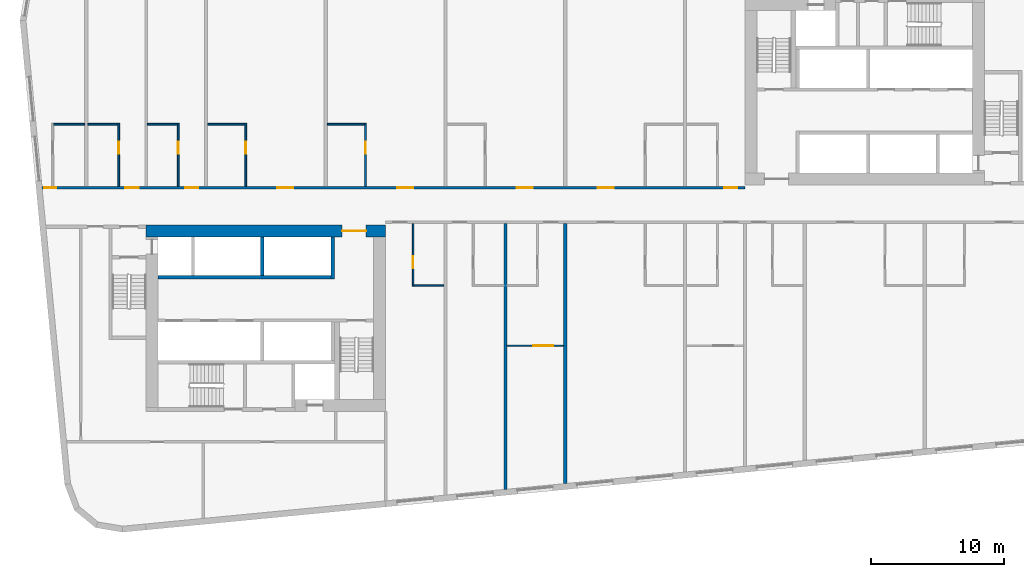
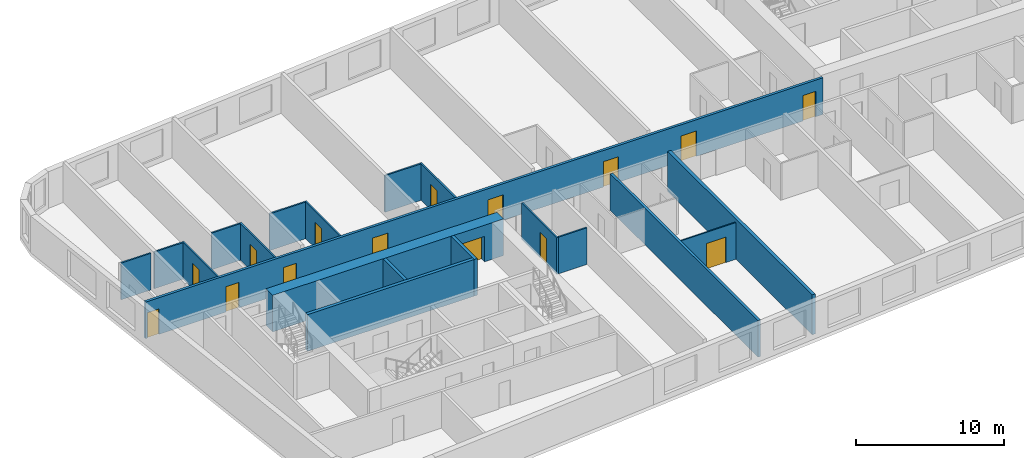
# One storey, part 3 of 12: 19 walls, 15 doors, 15 openings.
"""IFC4 building model written with IfcOpenShell, lengths in metres."""

from ifc_helpers import new_model, si_unit, direction, frame, frame_2d, origin, place, context, subcontext, project, spatial, rectangle, extrude, material, layer, layer_set, type_object, element, fill, save


model = new_model("IFC4")

# Units and contexts
model_context = context("Model", 3, precision=1e-05, world=origin(), true_north=direction((0.0, 1.0)))
body_context = subcontext(model_context, "Body", "Model", "MODEL_VIEW")
ifc_project = project(units=[si_unit("LENGTHUNIT", "METRE"), si_unit("AREAUNIT", "SQUARE_METRE"), si_unit("VOLUMEUNIT", "CUBIC_METRE"), si_unit("PLANEANGLEUNIT", "RADIAN"), si_unit("MASSUNIT", "GRAM", prefix="KILO")], contexts=[model_context])

# Site, building, storey
site_placement = place(None, origin())
site = spatial("IfcSite", under=ifc_project, at=site_placement, CompositionType="ELEMENT")
building_placement = place(site_placement, origin())
building = spatial("IfcBuilding", under=site, at=building_placement, Name="Kajstack Hotel Tower", CompositionType="ELEMENT")
storey_placement = place(building_placement, frame((0.0, 0.0, 114.10009765625)))
storey = spatial("IfcBuildingStorey", under=building, at=storey_placement, Name="L24", CompositionType="ELEMENT", Elevation=114.10009765625)

# Wall, opening, door
ifc_material_1 = material(Name="Concrete C60/75", Category="concrete")
ifc_layer_1 = layer(ifc_material_1, 0.89990234375)
ifc_layer_set_1 = layer_set([ifc_layer_1], Name="Core wall 900")
wall_type_1 = type_object("IfcWallType", Name="Core wall 900", PredefinedType="SHEAR", material=ifc_layer_set_1)
wall_1_placement = place(storey_placement, frame((-31.5, -1.949951171875, 0.0), z_axis=(0.0, 0.0, 1.0), x_axis=(1.0, 0.0, 0.0)))
wall_1 = element("IfcWall", 1, at=wall_1_placement, inside=storey, type_object=wall_type_1, Name="Core wall W RN", PredefinedType="SHEAR", context=body_context, shape_type="SweptSolid", body=[
    extrude(rectangle(XDim=18.0, YDim=0.89990234375, at=frame_2d((9.0, 0.0))), origin(), (0.0, 0.0, 1.0), 3.02001953125),
])
opening_1_placement = place(wall_1_placement, frame((14.72509765625, 0.0, 0.0)))
opening_1 = element("IfcOpeningElement", 2, at=opening_1_placement, cuts=wall_1, Name="Opening 24W06", PredefinedType="OPENING", context=body_context, shape_type="SweptSolid", body=[
    extrude(rectangle(XDim=1.800048828125, YDim=2.10009765625, at=frame_2d((0.89990234375, 1.050048828125))), frame((0.0, 0.4599609375, 0.0), z_axis=(0.0, -1.0, 0.0), x_axis=(1.0, 0.0, 0.0)), (0.0, 0.0, 1.0), 0.919921875),
])
ifc_material_2 = material(Name="Glazed steel frame, fire-rated glass", Category="steel")
door_type_1 = type_object("IfcDoorType", Name="Lobby double door 1800", OperationType="DOUBLE_DOOR_DOUBLE_SWING", PredefinedType="DOOR", material=ifc_material_2)
door_1_placement = place(opening_1_placement, origin())
door_1 = element("IfcDoor", 3, at=door_1_placement, inside=storey, type_object=door_type_1, Name="Door 24W06", OperationType="DOUBLE_DOOR_DOUBLE_SWING", OverallHeight=2.10009765625, OverallWidth=1.800048828125, PredefinedType="DOOR", context=body_context, shape_type="SweptSolid", body=[
    extrude(rectangle(XDim=1.800048828125, YDim=2.10009765625, at=frame_2d((0.89990234375, 1.050048828125))), frame((0.0, 0.02490234375, 0.0), z_axis=(0.0, -1.0, 0.0), x_axis=(1.0, 0.0, 0.0)), (0.0, 0.0, 1.0), 0.050048828125),
])
fill(opening_1, door_1)

# Wall, openings, doors
ifc_material_3 = material(Name="Gypsum board on steel studs, mineral wool", Category="steel")
ifc_layer_2 = layer(ifc_material_3, 0.199951171875)
ifc_layer_set_2 = layer_set([ifc_layer_2], Name="Corridor wall 200")
wall_type_2 = type_object("IfcWallType", Name="Corridor wall 200", PredefinedType="PARTITIONING", material=ifc_layer_set_2)
wall_2_placement = place(storey_placement, frame((-39.31591796875, 1.300048828125, 0.0), z_axis=(0.0, 0.0, 1.0), x_axis=(1.0, 0.0, 0.0)))
wall_2 = element("IfcWall", 4, at=wall_2_placement, inside=storey, type_object=wall_type_2, Name="G-wall-L24-003", PredefinedType="PARTITIONING", context=body_context, shape_type="SweptSolid", body=[
    extrude(rectangle(XDim=52.81591796875, YDim=0.199951171875, at=frame_2d((26.407958984375, 0.0))), origin(), (0.0, 0.0, 1.0), 3.02001953125),
])
opening_2_placement = place(wall_2_placement, frame((0.14990234375, 0.0, 0.0)))
opening_2 = element("IfcOpeningElement", 5, at=opening_2_placement, cuts=wall_2, Name="Opening 24001", PredefinedType="OPENING", context=body_context, shape_type="SweptSolid", body=[
    extrude(rectangle(XDim=0.89990234375, YDim=2.10009765625, at=frame_2d((0.449951171875, 1.050048828125))), frame((0.0, 0.10986328125, 0.0), z_axis=(0.0, -1.0, 0.0), x_axis=(1.0, 0.0, 0.0)), (0.0, 0.0, 1.0), 0.219970703125),
])
opening_3_placement = place(wall_2_placement, frame((6.26611328125, 0.0, 0.0)))
opening_3 = element("IfcOpeningElement", 6, at=opening_3_placement, cuts=wall_2, Name="Opening 24003", PredefinedType="OPENING", context=body_context, shape_type="SweptSolid", body=[
    extrude(rectangle(XDim=1.0, YDim=2.10009765625, at=frame_2d((0.5, 1.050048828125))), frame((0.0, 0.10986328125, 0.0), z_axis=(0.0, -1.0, 0.0), x_axis=(1.0, 0.0, 0.0)), (0.0, 0.0, 1.0), 0.219970703125),
])
opening_4_placement = place(wall_2_placement, frame((10.740966796875, 0.0, 0.0)))
opening_4 = element("IfcOpeningElement", 7, at=opening_4_placement, cuts=wall_2, Name="Opening 24005", PredefinedType="OPENING", context=body_context, shape_type="SweptSolid", body=[
    extrude(rectangle(XDim=1.0, YDim=2.10009765625, at=frame_2d((0.5, 1.050048828125))), frame((0.0, 0.10986328125, 0.0), z_axis=(0.0, -1.0, 0.0), x_axis=(1.0, 0.0, 0.0)), (0.0, 0.0, 1.0), 0.219970703125),
])
opening_5_placement = place(wall_2_placement, frame((17.677978515625, 0.0, 0.0)))
opening_5 = element("IfcOpeningElement", 8, at=opening_5_placement, cuts=wall_2, Name="Opening 24007", PredefinedType="OPENING", context=body_context, shape_type="SweptSolid", body=[
    extrude(rectangle(XDim=1.199951171875, YDim=2.10009765625, at=frame_2d((0.60009765625, 1.050048828125))), frame((0.0, 0.10986328125, 0.0), z_axis=(0.0, -1.0, 0.0), x_axis=(1.0, 0.0, 0.0)), (0.0, 0.0, 1.0), 0.219970703125),
])
opening_6_placement = place(wall_2_placement, frame((26.677978515625, 0.0, 0.0)))
opening_6 = element("IfcOpeningElement", 9, at=opening_6_placement, cuts=wall_2, Name="Opening 24009", PredefinedType="OPENING", context=body_context, shape_type="SweptSolid", body=[
    extrude(rectangle(XDim=1.199951171875, YDim=2.10009765625, at=frame_2d((0.60009765625, 1.050048828125))), frame((0.0, 0.10986328125, 0.0), z_axis=(0.0, -1.0, 0.0), x_axis=(1.0, 0.0, 0.0)), (0.0, 0.0, 1.0), 0.219970703125),
])
opening_7_placement = place(wall_2_placement, frame((35.677978515625, 0.0, 0.0)))
opening_7 = element("IfcOpeningElement", 10, at=opening_7_placement, cuts=wall_2, Name="Opening 24011", PredefinedType="OPENING", context=body_context, shape_type="SweptSolid", body=[
    extrude(rectangle(XDim=1.199951171875, YDim=2.10009765625, at=frame_2d((0.60009765625, 1.050048828125))), frame((0.0, 0.10986328125, 0.0), z_axis=(0.0, -1.0, 0.0), x_axis=(1.0, 0.0, 0.0)), (0.0, 0.0, 1.0), 0.219970703125),
])
opening_8_placement = place(wall_2_placement, frame((41.75390625, 0.0, 0.0)))
opening_8 = element("IfcOpeningElement", 11, at=opening_8_placement, cuts=wall_2, Name="Opening 24013", PredefinedType="OPENING", context=body_context, shape_type="SweptSolid", body=[
    extrude(rectangle(XDim=1.199951171875, YDim=2.10009765625, at=frame_2d((0.60009765625, 1.050048828125))), frame((0.0, 0.10986328125, 0.0), z_axis=(0.0, -1.0, 0.0), x_axis=(1.0, 0.0, 0.0)), (0.0, 0.0, 1.0), 0.219970703125),
])
opening_9_placement = place(wall_2_placement, frame((51.240966796875, 0.0, 0.0)))
opening_9 = element("IfcOpeningElement", 12, at=opening_9_placement, cuts=wall_2, Name="Opening 24015", PredefinedType="OPENING", context=body_context, shape_type="SweptSolid", body=[
    extrude(rectangle(XDim=1.0, YDim=2.10009765625, at=frame_2d((0.5, 1.050048828125))), frame((0.0, 0.10986328125, 0.0), z_axis=(0.0, -1.0, 0.0), x_axis=(1.0, 0.0, 0.0)), (0.0, 0.0, 1.0), 0.219970703125),
])
ifc_material_4 = material(Name="Oak veneer on timber core, fire-rated leaf", Category="wood")
door_type_2 = type_object("IfcDoorType", Name="Flat entrance door 1000", OperationType="SINGLE_SWING_LEFT", PredefinedType="DOOR", material=ifc_material_4)
door_2_placement = place(opening_3_placement, origin())
door_2 = element("IfcDoor", 13, at=door_2_placement, inside=storey, type_object=door_type_2, Name="G-door-L24-03", OperationType="SINGLE_SWING_LEFT", OverallHeight=2.10009765625, OverallWidth=1.0, PredefinedType="DOOR", context=body_context, shape_type="SweptSolid", body=[
    extrude(rectangle(XDim=1.0, YDim=2.10009765625, at=frame_2d((0.5, 1.050048828125))), frame((0.0, 0.02490234375, 0.0), z_axis=(0.0, -1.0, 0.0), x_axis=(1.0, 0.0, 0.0)), (0.0, 0.0, 1.0), 0.050048828125),
])
fill(opening_3, door_2)
door_3_placement = place(opening_4_placement, origin())
door_3 = element("IfcDoor", 14, at=door_3_placement, inside=storey, type_object=door_type_2, Name="G-door-L24-05", OperationType="SINGLE_SWING_RIGHT", OverallHeight=2.10009765625, OverallWidth=1.0, PredefinedType="DOOR", context=body_context, shape_type="SweptSolid", body=[
    extrude(rectangle(XDim=1.0, YDim=2.10009765625, at=frame_2d((0.5, 1.050048828125))), frame((0.0, 0.02490234375, 0.0), z_axis=(0.0, -1.0, 0.0), x_axis=(1.0, 0.0, 0.0)), (0.0, 0.0, 1.0), 0.050048828125),
])
fill(opening_4, door_3)
door_4_placement = place(opening_9_placement, origin())
door_4 = element("IfcDoor", 15, at=door_4_placement, inside=storey, type_object=door_type_2, Name="G-door-L24-15", OperationType="SINGLE_SWING_RIGHT", OverallHeight=2.10009765625, OverallWidth=1.0, PredefinedType="DOOR", context=body_context, shape_type="SweptSolid", body=[
    extrude(rectangle(XDim=1.0, YDim=2.10009765625, at=frame_2d((0.5, 1.050048828125))), frame((0.0, 0.02490234375, 0.0), z_axis=(0.0, -1.0, 0.0), x_axis=(1.0, 0.0, 0.0)), (0.0, 0.0, 1.0), 0.050048828125),
])
fill(opening_9, door_4)
door_type_3 = type_object("IfcDoorType", Name="Flat entrance door 1200", OperationType="SINGLE_SWING_LEFT", PredefinedType="DOOR", material=ifc_material_4)
door_5_placement = place(opening_5_placement, origin())
door_5 = element("IfcDoor", 16, at=door_5_placement, inside=storey, type_object=door_type_3, Name="G-door-L24-07", OperationType="SINGLE_SWING_LEFT", OverallHeight=2.10009765625, OverallWidth=1.199951171875, PredefinedType="DOOR", context=body_context, shape_type="SweptSolid", body=[
    extrude(rectangle(XDim=1.199951171875, YDim=2.10009765625, at=frame_2d((0.60009765625, 1.050048828125))), frame((0.0, 0.02490234375, 0.0), z_axis=(0.0, -1.0, 0.0), x_axis=(1.0, 0.0, 0.0)), (0.0, 0.0, 1.0), 0.050048828125),
])
fill(opening_5, door_5)
door_6_placement = place(opening_6_placement, origin())
door_6 = element("IfcDoor", 17, at=door_6_placement, inside=storey, type_object=door_type_3, Name="G-door-L24-09", OperationType="SINGLE_SWING_RIGHT", OverallHeight=2.10009765625, OverallWidth=1.199951171875, PredefinedType="DOOR", context=body_context, shape_type="SweptSolid", body=[
    extrude(rectangle(XDim=1.199951171875, YDim=2.10009765625, at=frame_2d((0.60009765625, 1.050048828125))), frame((0.0, 0.02490234375, 0.0), z_axis=(0.0, -1.0, 0.0), x_axis=(1.0, 0.0, 0.0)), (0.0, 0.0, 1.0), 0.050048828125),
])
fill(opening_6, door_6)
door_7_placement = place(opening_7_placement, origin())
door_7 = element("IfcDoor", 18, at=door_7_placement, inside=storey, type_object=door_type_3, Name="G-door-L24-11", OperationType="SINGLE_SWING_RIGHT", OverallHeight=2.10009765625, OverallWidth=1.199951171875, PredefinedType="DOOR", context=body_context, shape_type="SweptSolid", body=[
    extrude(rectangle(XDim=1.199951171875, YDim=2.10009765625, at=frame_2d((0.60009765625, 1.050048828125))), frame((0.0, 0.02490234375, 0.0), z_axis=(0.0, -1.0, 0.0), x_axis=(1.0, 0.0, 0.0)), (0.0, 0.0, 1.0), 0.050048828125),
])
fill(opening_7, door_7)
door_8_placement = place(opening_8_placement, origin())
door_8 = element("IfcDoor", 19, at=door_8_placement, inside=storey, type_object=door_type_3, Name="G-door-L24-13", OperationType="SINGLE_SWING_LEFT", OverallHeight=2.10009765625, OverallWidth=1.199951171875, PredefinedType="DOOR", context=body_context, shape_type="SweptSolid", body=[
    extrude(rectangle(XDim=1.199951171875, YDim=2.10009765625, at=frame_2d((0.60009765625, 1.050048828125))), frame((0.0, 0.02490234375, 0.0), z_axis=(0.0, -1.0, 0.0), x_axis=(1.0, 0.0, 0.0)), (0.0, 0.0, 1.0), 0.050048828125),
])
fill(opening_8, door_8)
ifc_material_5 = material(Name="Painted timber door leaf", Category="wood")
door_type_4 = type_object("IfcDoorType", Name="Room door 900", OperationType="SINGLE_SWING_LEFT", PredefinedType="DOOR", material=ifc_material_5)
door_9_placement = place(opening_2_placement, origin())
door_9 = element("IfcDoor", 20, at=door_9_placement, inside=storey, type_object=door_type_4, Name="G-door-L24-01", OperationType="SINGLE_SWING_LEFT", OverallHeight=2.10009765625, OverallWidth=0.89990234375, PredefinedType="DOOR", context=body_context, shape_type="SweptSolid", body=[
    extrude(rectangle(XDim=0.89990234375, YDim=2.10009765625, at=frame_2d((0.449951171875, 1.050048828125))), frame((0.0, 0.02490234375, 0.0), z_axis=(0.0, -1.0, 0.0), x_axis=(1.0, 0.0, 0.0)), (0.0, 0.0, 1.0), 0.050048828125),
])
fill(opening_2, door_9)

# Walls
ifc_material_6 = material(Name="Twin-frame gypsum board on steel studs, mineral wool", Category="steel")
ifc_layer_3 = layer(ifc_material_6, 0.199951171875)
ifc_layer_set_3 = layer_set([ifc_layer_3], Name="Demising wall 200")
wall_type_3 = type_object("IfcWallType", Name="Demising wall 200", PredefinedType="PARTITIONING", material=ifc_layer_set_3)
wall_3_placement = place(storey_placement, frame((-4.5, -21.365966796875, 0.0), z_axis=(0.0, 0.0, 1.0), x_axis=(0.0, 1.0, 0.0)))
element("IfcWall", 21, at=wall_3_placement, inside=storey, type_object=wall_type_3, Name="G-wall-L24-024", PredefinedType="PARTITIONING", context=body_context, shape_type="SweptSolid", body=[
    extrude(rectangle(XDim=19.966064453125, YDim=0.199951171875, at=frame_2d((9.98291015625, 0.0))), origin(), (0.0, 0.0, 1.0), 3.02001953125),
])
ifc_material_7 = material(Name="Gypsum board and tiled backer on steel studs", Category="steel")
ifc_layer_4 = layer(ifc_material_7, 0.125)
ifc_layer_set_4 = layer_set([ifc_layer_4], Name="En-suite wall 125")
wall_type_4 = type_object("IfcWallType", Name="En-suite wall 125", PredefinedType="PARTITIONING", material=ifc_layer_set_4)
wall_4_placement = place(storey_placement, frame((-38.45703125, 6.06201171875, 0.0), z_axis=(0.0, 0.0, 1.0), x_axis=(1.0, 0.0, 0.0)))
element("IfcWall", 22, at=wall_4_placement, inside=storey, type_object=wall_type_4, Name="G-wall-L24-005", PredefinedType="PARTITIONING", context=body_context, shape_type="SweptSolid", body=[
    extrude(rectangle(XDim=2.33203125, YDim=0.125, at=frame_2d((1.166015625, 0.0))), origin(), (0.0, 0.0, 1.0), 3.02001953125),
])

# Wall, opening, door
wall_5_placement = place(storey_placement, frame((-33.56201171875, 1.39990234375, 0.0), z_axis=(0.0, 0.0, 1.0), x_axis=(0.0, 1.0, 0.0)))
wall_5 = element("IfcWall", 23, at=wall_5_placement, inside=storey, type_object=wall_type_4, Name="G-wall-L24-007", PredefinedType="PARTITIONING", context=body_context, shape_type="SweptSolid", body=[
    extrude(rectangle(XDim=4.72509765625, YDim=0.125, at=frame_2d((2.362548828125, 0.0))), origin(), (0.0, 0.0, 1.0), 3.02001953125),
])
opening_10_placement = place(wall_5_placement, frame((2.449951171875, 0.0, 0.0)))
opening_10 = element("IfcOpeningElement", 24, at=opening_10_placement, cuts=wall_5, Name="Opening 24004", PredefinedType="OPENING", context=body_context, shape_type="SweptSolid", body=[
    extrude(rectangle(XDim=0.89990234375, YDim=2.10009765625, at=frame_2d((0.449951171875, 1.050048828125))), frame((0.0, 0.072509765625, 0.0), z_axis=(0.0, -1.0, 0.0), x_axis=(1.0, 0.0, 0.0)), (0.0, 0.0, 1.0), 0.14501953125),
])
door_10_placement = place(opening_10_placement, origin())
door_10 = element("IfcDoor", 25, at=door_10_placement, inside=storey, type_object=door_type_4, Name="G-door-L24-04", OperationType="SINGLE_SWING_LEFT", OverallHeight=2.10009765625, OverallWidth=0.89990234375, PredefinedType="DOOR", context=body_context, shape_type="SweptSolid", body=[
    extrude(rectangle(XDim=0.89990234375, YDim=2.10009765625, at=frame_2d((0.449951171875, 1.050048828125))), frame((0.0, 0.02490234375, 0.0), z_axis=(0.0, -1.0, 0.0), x_axis=(1.0, 0.0, 0.0)), (0.0, 0.0, 1.0), 0.050048828125),
])
fill(opening_10, door_10)

# Wall
wall_6_placement = place(storey_placement, frame((-35.875, 6.06201171875, 0.0), z_axis=(0.0, 0.0, 1.0), x_axis=(1.0, 0.0, 0.0)))
element("IfcWall", 26, at=wall_6_placement, inside=storey, type_object=wall_type_4, Name="G-wall-L24-008", PredefinedType="PARTITIONING", context=body_context, shape_type="SweptSolid", body=[
    extrude(rectangle(XDim=2.25, YDim=0.125, at=frame_2d((1.125, 0.0))), origin(), (0.0, 0.0, 1.0), 3.02001953125),
])

# Wall, opening, door
wall_7_placement = place(storey_placement, frame((-29.0869140625, 1.39990234375, 0.0), z_axis=(0.0, 0.0, 1.0), x_axis=(0.0, 1.0, 0.0)))
wall_7 = element("IfcWall", 27, at=wall_7_placement, inside=storey, type_object=wall_type_4, Name="G-wall-L24-009", PredefinedType="PARTITIONING", context=body_context, shape_type="SweptSolid", body=[
    extrude(rectangle(XDim=4.72509765625, YDim=0.125, at=frame_2d((2.362548828125, 0.0))), origin(), (0.0, 0.0, 1.0), 3.02001953125),
])
opening_11_placement = place(wall_7_placement, frame((2.449951171875, 0.0, 0.0)))
opening_11 = element("IfcOpeningElement", 28, at=opening_11_placement, cuts=wall_7, Name="Opening 24006", PredefinedType="OPENING", context=body_context, shape_type="SweptSolid", body=[
    extrude(rectangle(XDim=0.89990234375, YDim=2.10009765625, at=frame_2d((0.449951171875, 1.050048828125))), frame((0.0, 0.072509765625, 0.0), z_axis=(0.0, -1.0, 0.0), x_axis=(1.0, 0.0, 0.0)), (0.0, 0.0, 1.0), 0.14501953125),
])
door_11_placement = place(opening_11_placement, origin())
door_11 = element("IfcDoor", 29, at=door_11_placement, inside=storey, type_object=door_type_4, Name="G-door-L24-06", OperationType="SINGLE_SWING_LEFT", OverallHeight=2.10009765625, OverallWidth=0.89990234375, PredefinedType="DOOR", context=body_context, shape_type="SweptSolid", body=[
    extrude(rectangle(XDim=0.89990234375, YDim=2.10009765625, at=frame_2d((0.449951171875, 1.050048828125))), frame((0.0, 0.02490234375, 0.0), z_axis=(0.0, -1.0, 0.0), x_axis=(1.0, 0.0, 0.0)), (0.0, 0.0, 1.0), 0.050048828125),
])
fill(opening_11, door_11)

# Wall
wall_8_placement = place(storey_placement, frame((-31.39990234375, 6.06201171875, 0.0), z_axis=(0.0, 0.0, 1.0), x_axis=(1.0, 0.0, 0.0)))
element("IfcWall", 30, at=wall_8_placement, inside=storey, type_object=wall_type_4, Name="G-wall-L24-010", PredefinedType="PARTITIONING", context=body_context, shape_type="SweptSolid", body=[
    extrude(rectangle(XDim=2.25, YDim=0.125, at=frame_2d((1.125, 0.0))), origin(), (0.0, 0.0, 1.0), 3.02001953125),
])

# Wall, opening, door
wall_9_placement = place(storey_placement, frame((-24.011962890625, 1.39990234375, 0.0), z_axis=(0.0, 0.0, 1.0), x_axis=(0.0, 1.0, 0.0)))
wall_9 = element("IfcWall", 31, at=wall_9_placement, inside=storey, type_object=wall_type_4, Name="G-wall-L24-011", PredefinedType="PARTITIONING", context=body_context, shape_type="SweptSolid", body=[
    extrude(rectangle(XDim=4.72509765625, YDim=0.125, at=frame_2d((2.362548828125, 0.0))), origin(), (0.0, 0.0, 1.0), 3.02001953125),
])
opening_12_placement = place(wall_9_placement, frame((2.449951171875, 0.0, 0.0)))
opening_12 = element("IfcOpeningElement", 32, at=opening_12_placement, cuts=wall_9, Name="Opening 24008", PredefinedType="OPENING", context=body_context, shape_type="SweptSolid", body=[
    extrude(rectangle(XDim=0.89990234375, YDim=2.10009765625, at=frame_2d((0.449951171875, 1.050048828125))), frame((0.0, 0.072509765625, 0.0), z_axis=(0.0, -1.0, 0.0), x_axis=(1.0, 0.0, 0.0)), (0.0, 0.0, 1.0), 0.14501953125),
])
door_12_placement = place(opening_12_placement, origin())
door_12 = element("IfcDoor", 33, at=door_12_placement, inside=storey, type_object=door_type_4, Name="G-door-L24-08", OperationType="SINGLE_SWING_RIGHT", OverallHeight=2.10009765625, OverallWidth=0.89990234375, PredefinedType="DOOR", context=body_context, shape_type="SweptSolid", body=[
    extrude(rectangle(XDim=0.89990234375, YDim=2.10009765625, at=frame_2d((0.449951171875, 1.050048828125))), frame((0.0, 0.02490234375, 0.0), z_axis=(0.0, -1.0, 0.0), x_axis=(1.0, 0.0, 0.0)), (0.0, 0.0, 1.0), 0.050048828125),
])
fill(opening_12, door_12)

# Wall
wall_10_placement = place(storey_placement, frame((-26.875, 6.06201171875, 0.0), z_axis=(0.0, 0.0, 1.0), x_axis=(1.0, 0.0, 0.0)))
element("IfcWall", 34, at=wall_10_placement, inside=storey, type_object=wall_type_4, Name="G-wall-L24-012", PredefinedType="PARTITIONING", context=body_context, shape_type="SweptSolid", body=[
    extrude(rectangle(XDim=2.800048828125, YDim=0.125, at=frame_2d((1.39990234375, 0.0))), origin(), (0.0, 0.0, 1.0), 3.02001953125),
])

# Wall, opening, door
wall_11_placement = place(storey_placement, frame((-15.011962890625, 1.39990234375, 0.0), z_axis=(0.0, 0.0, 1.0), x_axis=(0.0, 1.0, 0.0)))
wall_11 = element("IfcWall", 35, at=wall_11_placement, inside=storey, type_object=wall_type_4, Name="G-wall-L24-013", PredefinedType="PARTITIONING", context=body_context, shape_type="SweptSolid", body=[
    extrude(rectangle(XDim=4.72509765625, YDim=0.125, at=frame_2d((2.362548828125, 0.0))), origin(), (0.0, 0.0, 1.0), 3.02001953125),
])
opening_13_placement = place(wall_11_placement, frame((2.449951171875, 0.0, 0.0)))
opening_13 = element("IfcOpeningElement", 36, at=opening_13_placement, cuts=wall_11, Name="Opening 24010", PredefinedType="OPENING", context=body_context, shape_type="SweptSolid", body=[
    extrude(rectangle(XDim=0.89990234375, YDim=2.10009765625, at=frame_2d((0.449951171875, 1.050048828125))), frame((0.0, 0.072509765625, 0.0), z_axis=(0.0, -1.0, 0.0), x_axis=(1.0, 0.0, 0.0)), (0.0, 0.0, 1.0), 0.14501953125),
])
door_13_placement = place(opening_13_placement, origin())
door_13 = element("IfcDoor", 37, at=door_13_placement, inside=storey, type_object=door_type_4, Name="G-door-L24-10", OperationType="SINGLE_SWING_RIGHT", OverallHeight=2.10009765625, OverallWidth=0.89990234375, PredefinedType="DOOR", context=body_context, shape_type="SweptSolid", body=[
    extrude(rectangle(XDim=0.89990234375, YDim=2.10009765625, at=frame_2d((0.449951171875, 1.050048828125))), frame((0.0, 0.02490234375, 0.0), z_axis=(0.0, -1.0, 0.0), x_axis=(1.0, 0.0, 0.0)), (0.0, 0.0, 1.0), 0.050048828125),
])
fill(opening_13, door_13)

# Wall
wall_12_placement = place(storey_placement, frame((-17.875, 6.06201171875, 0.0), z_axis=(0.0, 0.0, 1.0), x_axis=(1.0, 0.0, 0.0)))
element("IfcWall", 38, at=wall_12_placement, inside=storey, type_object=wall_type_4, Name="G-wall-L24-014", PredefinedType="PARTITIONING", context=body_context, shape_type="SweptSolid", body=[
    extrude(rectangle(XDim=2.800048828125, YDim=0.125, at=frame_2d((1.39990234375, 0.0))), origin(), (0.0, 0.0, 1.0), 3.02001953125),
])

# Wall, opening, door
wall_13_placement = place(storey_placement, frame((-11.43798828125, -6.125, 0.0), z_axis=(0.0, 0.0, 1.0), x_axis=(0.0, 1.0, 0.0)))
wall_13 = element("IfcWall", 39, at=wall_13_placement, inside=storey, type_object=wall_type_4, Name="G-wall-L24-022", PredefinedType="PARTITIONING", context=body_context, shape_type="SweptSolid", body=[
    extrude(rectangle(XDim=4.72509765625, YDim=0.125, at=frame_2d((2.362548828125, 0.0))), origin(), (0.0, 0.0, 1.0), 3.02001953125),
])
opening_14_placement = place(wall_13_placement, frame((1.375, 0.0, 0.0)))
opening_14 = element("IfcOpeningElement", 40, at=opening_14_placement, cuts=wall_13, Name="Opening 24018", PredefinedType="OPENING", context=body_context, shape_type="SweptSolid", body=[
    extrude(rectangle(XDim=0.89990234375, YDim=2.10009765625, at=frame_2d((0.449951171875, 1.050048828125))), frame((0.0, 0.072509765625, 0.0), z_axis=(0.0, -1.0, 0.0), x_axis=(1.0, 0.0, 0.0)), (0.0, 0.0, 1.0), 0.14501953125),
])
door_14_placement = place(opening_14_placement, origin())
door_14 = element("IfcDoor", 41, at=door_14_placement, inside=storey, type_object=door_type_4, Name="G-door-L24-18", OperationType="SINGLE_SWING_RIGHT", OverallHeight=2.10009765625, OverallWidth=0.89990234375, PredefinedType="DOOR", context=body_context, shape_type="SweptSolid", body=[
    extrude(rectangle(XDim=0.89990234375, YDim=2.10009765625, at=frame_2d((0.449951171875, 1.050048828125))), frame((0.0, 0.02490234375, 0.0), z_axis=(0.0, -1.0, 0.0), x_axis=(1.0, 0.0, 0.0)), (0.0, 0.0, 1.0), 0.050048828125),
])
fill(opening_14, door_14)

# Walls
wall_14_placement = place(storey_placement, frame((-11.375, -6.06201171875, 0.0), z_axis=(0.0, 0.0, 1.0), x_axis=(1.0, 0.0, 0.0)))
element("IfcWall", 42, at=wall_14_placement, inside=storey, type_object=wall_type_4, Name="G-wall-L24-023", PredefinedType="PARTITIONING", context=body_context, shape_type="SweptSolid", body=[
    extrude(rectangle(XDim=2.25, YDim=0.125, at=frame_2d((1.125, 0.0))), origin(), (0.0, 0.0, 1.0), 3.02001953125),
])
ifc_material_8 = material(Name="Concrete C50/60", Category="concrete")
ifc_layer_5 = layer(ifc_material_8, 0.300048828125)
ifc_layer_set_5 = layer_set([ifc_layer_5], Name="Hoistway divider wall 300")
wall_type_5 = type_object("IfcWallType", Name="Hoistway divider wall 300", PredefinedType="SHEAR", material=ifc_layer_set_5)
wall_15_placement = place(storey_placement, frame((-22.77490234375, -5.300048828125, 0.0), z_axis=(0.0, 0.0, 1.0), x_axis=(0.0, 1.0, 0.0)))
element("IfcWall", 43, at=wall_15_placement, inside=storey, type_object=wall_type_5, Name="Core wall W AP2", PredefinedType="SHEAR", context=body_context, shape_type="SweptSolid", body=[
    extrude(rectangle(XDim=2.900146484375, YDim=0.25, at=frame_2d((1.4501953125, 0.0))), origin(), (0.0, 0.0, 1.0), 3.02001953125),
])

# Wall, opening, door
ifc_material_9 = material(Name="Gypsum board on steel studs", Category="steel")
ifc_layer_6 = layer(ifc_material_9, 0.10009765625)
ifc_layer_set_6 = layer_set([ifc_layer_6], Name="Partition 100")
wall_type_6 = type_object("IfcWallType", Name="Partition 100", PredefinedType="PARTITIONING", material=ifc_layer_set_6)
wall_16_placement = place(storey_placement, frame((-4.39990234375, -10.574951171875, 0.0), z_axis=(0.0, 0.0, 1.0), x_axis=(1.0, 0.0, 0.0)))
wall_16 = element("IfcWall", 44, at=wall_16_placement, inside=storey, type_object=wall_type_6, Name="G-wall-L24-029", PredefinedType="PARTITIONING", context=body_context, shape_type="SweptSolid", body=[
    extrude(rectangle(XDim=4.27490234375, YDim=0.10009765625, at=frame_2d((2.137451171875, 0.0))), origin(), (0.0, 0.0, 1.0), 3.02001953125),
])
opening_15_placement = place(wall_16_placement, frame((1.988037109375, 0.0, 0.0)))
opening_15 = element("IfcOpeningElement", 45, at=opening_15_placement, cuts=wall_16, Name="Opening 24023", PredefinedType="OPENING", context=body_context, shape_type="SweptSolid", body=[
    extrude(rectangle(XDim=1.5, YDim=2.10009765625, at=frame_2d((0.75, 1.050048828125))), frame((0.0, 0.06005859375, 0.0), z_axis=(0.0, -1.0, 0.0), x_axis=(1.0, 0.0, 0.0)), (0.0, 0.0, 1.0), 0.1201171875),
])
ifc_material_10 = material(Name="Painted timber door leaves, glazed panels", Category="wood")
door_type_5 = type_object("IfcDoorType", Name="Double door 1500", OperationType="SINGLE_SWING_LEFT", PredefinedType="DOOR", material=ifc_material_10)
door_15_placement = place(opening_15_placement, origin())
door_15 = element("IfcDoor", 46, at=door_15_placement, inside=storey, type_object=door_type_5, Name="G-door-L24-23", OperationType="SINGLE_SWING_RIGHT", OverallHeight=2.10009765625, OverallWidth=1.5, PredefinedType="DOOR", context=body_context, shape_type="SweptSolid", body=[
    extrude(rectangle(XDim=1.5, YDim=2.10009765625, at=frame_2d((0.75, 1.050048828125))), frame((0.0, 0.02490234375, 0.0), z_axis=(0.0, -1.0, 0.0), x_axis=(1.0, 0.0, 0.0)), (0.0, 0.0, 1.0), 0.050048828125),
])
fill(opening_15, door_15)

# Walls
ifc_material_11 = material(Name="Concrete C55/67", Category="concrete")
ifc_layer_7 = layer(ifc_material_11, 0.25)
ifc_layer_set_7 = layer_set([ifc_layer_7], Name="RC cross wall 250 C55/67")
wall_type_7 = type_object("IfcWallType", Name="RC cross wall 250 C55/67", PredefinedType="SHEAR", material=ifc_layer_set_7)
wall_17_placement = place(storey_placement, frame((0.0, -20.910400390625, 0.0), z_axis=(0.0, 0.0, 1.0), x_axis=(0.0, 1.0, 0.0)))
element("IfcWall", 47, at=wall_17_placement, inside=storey, type_object=wall_type_7, Name="S-wall-L24-06", PredefinedType="SHEAR", context=body_context, shape_type="SweptSolid", body=[
    extrude(rectangle(XDim=19.510498046875, YDim=0.25, at=frame_2d((9.75537109375, 0.0))), origin(), (0.0, 0.0, 1.0), 3.2998046875),
])
ifc_layer_8 = layer(ifc_material_8, 0.25)
ifc_layer_set_8 = layer_set([ifc_layer_8], Name="Shaft wall 250")
wall_type_8 = type_object("IfcWallType", Name="Shaft wall 250", PredefinedType="SHEAR", material=ifc_layer_set_8)
wall_18_placement = place(storey_placement, frame((-30.60009765625, -5.425048828125, 0.0), z_axis=(0.0, 0.0, 1.0), x_axis=(1.0, 0.0, 0.0)))
element("IfcWall", 48, at=wall_18_placement, inside=storey, type_object=wall_type_8, Name="Core wall W FA", PredefinedType="SHEAR", context=body_context, shape_type="SweptSolid", body=[
    extrude(rectangle(XDim=13.0, YDim=0.25, at=frame_2d((6.5, 0.0))), origin(), (0.0, 0.0, 1.0), 3.02001953125),
])
wall_19_placement = place(storey_placement, frame((-17.47509765625, -5.550048828125, 0.0), z_axis=(0.0, 0.0, 1.0), x_axis=(0.0, 1.0, 0.0)))
element("IfcWall", 49, at=wall_19_placement, inside=storey, type_object=wall_type_8, Name="Core wall W AE", PredefinedType="SHEAR", context=body_context, shape_type="SweptSolid", body=[
    extrude(rectangle(XDim=3.150146484375, YDim=0.25, at=frame_2d((1.5751953125, 0.0))), origin(), (0.0, 0.0, 1.0), 3.02001953125),
])

save(model, "model.ifc")
